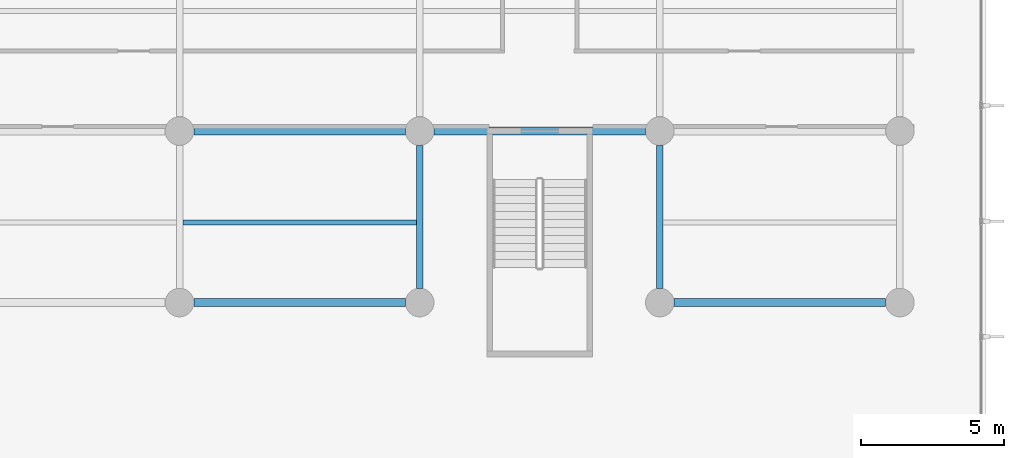
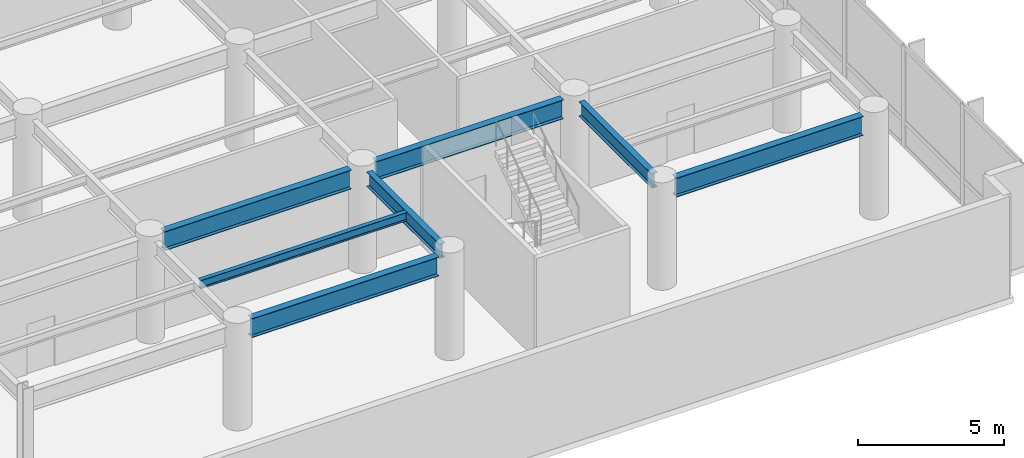
# One storey, part 6 of 26: 7 beams.
"""IFC4 building model written with IfcOpenShell, lengths in metres."""

import ifcopenshell
import ifcopenshell.guid

model = None  # the IFC model being written
_history = None  # IfcOwnerHistory: only IFC2X3 demands one
_inside = {}  # id of a spatial element -> (the spatial element, [elements in it])
_under = {}  # id of a project, library or spatial element -> (it, [spatial elements below it])
_declared = {}  # id of a project -> (the project, [libraries it declares])
_typed = {}  # id of a type object -> (the type object, [elements of that type])
_made_of = {}  # id of a material, layer set ... -> (it, [elements and type objects made of it])


def new_model(schema):
    """Start an empty IFC model of exactly this schema.

    Asked for "IFC4X3", IfcOpenShell would pick the latest addendum, in which some entities
    have other attributes; the version numbers below select the first issue.
    IFC2X3 requires an IfcOwnerHistory on every rooted entity: one is made here for all.
    """
    global model, _history
    if schema == "IFC4X3":
        model = ifcopenshell.file(schema_version=(4, 3, 0, 0))
    else:
        model = ifcopenshell.file(schema=schema)
    _inside.clear()
    _under.clear()
    _declared.clear()
    _typed.clear()
    _made_of.clear()
    _history = None
    if model.schema == "IFC2X3":
        org = make("IfcOrganization", Name="unknown")
        user = make(
            "IfcPersonAndOrganization",
            ThePerson=make("IfcPerson", FamilyName="unknown"),
            TheOrganization=org,
        )
        app = make(
            "IfcApplication",
            ApplicationDeveloper=org,
            Version="unknown",
            ApplicationFullName="unknown",
            ApplicationIdentifier="unknown",
        )
        _history = make(
            "IfcOwnerHistory",
            OwningUser=user,
            OwningApplication=app,
            ChangeAction="ADDED",
            CreationDate=0,
        )
    return model


def make(cls, **values):
    """One entity of the class cls with the attributes given. An attribute that is None is left unset."""
    return model.create_entity(
        cls, **{name: value for name, value in values.items() if value is not None}
    )


def rooted(cls, **values):
    """An entity with a GlobalId (a new one), such as an element, a storey or a relation."""
    return make(cls, GlobalId=ifcopenshell.guid.new(), OwnerHistory=_history, **values)


def si_unit(unit_type, name, prefix=None):
    """IfcSIUnit, for example si_unit("LENGTHUNIT", "METRE", prefix="MILLI")."""
    return make("IfcSIUnit", UnitType=unit_type, Prefix=prefix, Name=name)


def assignment(units):
    """IfcUnitAssignment: the units of a project."""
    return None if units is None else make("IfcUnitAssignment", Units=units)


def point(xyz):
    """IfcCartesianPoint."""
    return None if xyz is None else make("IfcCartesianPoint", Coordinates=xyz)


def direction(xyz):
    """IfcDirection."""
    return None if xyz is None else make("IfcDirection", DirectionRatios=xyz)


def frame(location, z_axis=None, x_axis=None):
    """IfcAxis2Placement3D, a coordinate frame: its origin and axes. An axis left out is left unset."""
    return make(
        "IfcAxis2Placement3D",
        Location=point(location),
        Axis=direction(z_axis),
        RefDirection=direction(x_axis),
    )


def frame_2d(location, x_axis=None):
    """IfcAxis2Placement2D, a coordinate frame in the plane: its origin and x axis."""
    return make(
        "IfcAxis2Placement2D", Location=point(location), RefDirection=direction(x_axis)
    )


def origin():
    """The frame at (0, 0, 0) with its axes left unset."""
    return frame((0.0, 0.0, 0.0))


def origin_2d():
    """The frame at (0, 0) in the plane with its x axis left unset."""
    return frame_2d((0.0, 0.0))


def place(relative_to, where):
    """IfcLocalPlacement: puts the frame where relative to a parent placement (None: the world)."""
    return make(
        "IfcLocalPlacement", PlacementRelTo=relative_to, RelativePlacement=where
    )


def context(
    kind, dimensions, precision=None, world=None, true_north=None, identifier=None
):
    """IfcGeometricRepresentationContext, for example the 3D "Model" context."""
    return make(
        "IfcGeometricRepresentationContext",
        ContextIdentifier=identifier,
        ContextType=kind,
        CoordinateSpaceDimension=dimensions,
        Precision=precision,
        WorldCoordinateSystem=world,
        TrueNorth=true_north,
    )


def subcontext(parent, identifier, kind, view, scale=None):
    """IfcGeometricRepresentationSubContext, for example "Body" below "Model"."""
    return make(
        "IfcGeometricRepresentationSubContext",
        ContextIdentifier=identifier,
        ContextType=kind,
        ParentContext=parent,
        TargetScale=scale,
        TargetView=view,
    )


def project(units=None, contexts=None):
    """IfcProject with its units and contexts."""
    return rooted(
        "IfcProject",
        Name="project",
        RepresentationContexts=contexts,
        UnitsInContext=assignment(units),
    )


def spatial(cls, under=None, at=None, **own):
    """A site, building, storey or space (cls), placed at a placement, below another one or the project."""
    s = rooted(cls, ObjectPlacement=at, **own)
    if under is not None:
        _under.setdefault(under.id(), (under, []))[1].append(s)
    return s


def profile(cls, at=None, kind="AREA", **sizes):
    """A parametric profile (cls). Its sizes go by their IFC names, for example OverallWidth=200.0."""
    return make(cls, ProfileType=kind, Position=at, **sizes)


def i_section(**sizes):
    """IfcIShapeProfileDef."""
    return profile("IfcIShapeProfileDef", **sizes)


def extrude(swept, where, along, depth):
    """IfcExtrudedAreaSolid: the profile swept, set in the frame where, extruded along a direction by depth."""
    return make(
        "IfcExtrudedAreaSolid",
        SweptArea=swept,
        Position=where,
        ExtrudedDirection=direction(along),
        Depth=depth,
    )


def shape(context_of_items, identifier, shape_type, items):
    """IfcShapeRepresentation: the items that make up one representation, for example the "Body"."""
    return make(
        "IfcShapeRepresentation",
        ContextOfItems=context_of_items,
        RepresentationIdentifier=identifier,
        RepresentationType=shape_type,
        Items=items,
    )


def material(Name=None, Category=None):
    """IfcMaterial."""
    return make("IfcMaterial", Name=Name, Category=Category)


def material_profile(
    of_material, cross_section, Name=None, Category=None, Priority=None
):
    """IfcMaterialProfile: a cross section and its material."""
    return make(
        "IfcMaterialProfile",
        Name=Name,
        Material=of_material,
        Profile=cross_section,
        Priority=Priority,
        Category=Category,
    )


def profile_set(profiles, Name=None, composite=None):
    """IfcMaterialProfileSet."""
    return make(
        "IfcMaterialProfileSet",
        Name=Name,
        MaterialProfiles=profiles,
        CompositeProfile=composite,
    )


def made_of(thing, what):
    """Note that an element or type object is made of a material, layer set ...; save() writes the relation."""
    if what is not None:
        _made_of.setdefault(what.id(), (what, []))[1].append(thing)
    return thing


def type_object(cls, material=None, **own):
    """A type object (cls), such as IfcWallType, which elements share."""
    return made_of(rooted(cls, **own), material)


def element(
    cls,
    number,
    at=None,
    inside=None,
    cuts=None,
    type_object=None,
    material=None,
    context=None,
    identifier="Body",
    shape_type=None,
    held_by="IfcProductDefinitionShape",
    body=None,
    shapes=None,
    **own,
):
    """One element of the class cls, such as IfcWall. Its Tag is "e" and its number.

    at: its placement. inside: the storey or other place that contains it. cuts: it is an
    opening in that element (IfcRelVoidsElement). A single representation is given by context,
    identifier, shape_type and body (its items); several are given by shapes. held_by: the class
    of the entity that holds the representations. save() writes the other relations.
    """
    e = rooted(cls, Tag="e%d" % number, ObjectPlacement=at, **own)
    if body is not None:
        shapes = [shape(context, identifier, shape_type, body)]
    if shapes is not None:
        e.Representation = make(held_by, Representations=shapes)
    if inside is not None:
        _inside.setdefault(inside.id(), (inside, []))[1].append(e)
    if cuts is not None:
        rooted(
            "IfcRelVoidsElement", RelatingBuildingElement=cuts, RelatedOpeningElement=e
        )
    if type_object is not None:
        _typed.setdefault(type_object.id(), (type_object, []))[1].append(e)
    return made_of(e, material)


def aggregate(whole, parts):
    """IfcRelAggregates: a whole, such as a stair, and the parts it consists of."""
    return rooted("IfcRelAggregates", RelatingObject=whole, RelatedObjects=parts)


def save(model, path):
    """Write the relations noted so far, then the file.

    IfcRelAggregates (storeys below a building ...), IfcRelContainedInSpatialStructure (elements
    in a storey), IfcRelDefinesByType, IfcRelAssociatesMaterial and IfcRelDeclares: one each for
    every whole, place, type object, material and project.
    """
    for whole, parts in _under.values():
        aggregate(whole, parts)
    for where, things in _inside.values():
        rooted(
            "IfcRelContainedInSpatialStructure",
            RelatedElements=things,
            RelatingStructure=where,
        )
    for kind, things in _typed.values():
        rooted("IfcRelDefinesByType", RelatedObjects=things, RelatingType=kind)
    for what, things in _made_of.values():
        rooted("IfcRelAssociatesMaterial", RelatedObjects=things, RelatingMaterial=what)
    for by, libraries in _declared.values():
        rooted("IfcRelDeclares", RelatingContext=by, RelatedDefinitions=libraries)
    model.write(path)


model = new_model("IFC4")

# Units and contexts
model_context = context("Model", 3, precision=1e-05, world=origin(), true_north=direction((0.0, 1.0)))
body_context = subcontext(model_context, "Body", "Model", "MODEL_VIEW")
ifc_project = project(units=[si_unit("LENGTHUNIT", "METRE"), si_unit("AREAUNIT", "SQUARE_METRE"), si_unit("VOLUMEUNIT", "CUBIC_METRE"), si_unit("PLANEANGLEUNIT", "RADIAN"), si_unit("MASSUNIT", "GRAM", prefix="KILO")], contexts=[model_context])

# Site, building, storey
site_placement = place(None, origin())
site = spatial("IfcSite", under=ifc_project, at=site_placement, CompositionType="ELEMENT")
building_placement = place(site_placement, origin())
building = spatial("IfcBuilding", under=site, at=building_placement, Name="Varnakote Quay Hospital", CompositionType="ELEMENT")
storey_placement = place(building_placement, frame((0.0, 0.0, 9.0)))
storey = spatial("IfcBuildingStorey", under=building, at=storey_placement, Name="L02", CompositionType="ELEMENT", Elevation=9.0)

# Beams
ifc_material_1 = material(Name="Structural steel AS/NZS 3679.1 Grade 350 L0 (fy 340 MPa)", Category="steel")
ifc_material_profile_1 = material_profile(ifc_material_1, i_section(OverallWidth=0.22802734375, OverallDepth=0.60205078125, WebThickness=0.010498046875, FlangeThickness=0.014892578125, FilletRadius=0.013916015625, at=origin_2d()), Name="610UB101")
ifc_profile_set_1 = profile_set([ifc_material_profile_1], Name="Structural steel AS/NZS 3679.1 Grade 350 L0 (fy 340 MPa)")
beam_type_1 = type_object("IfcBeamType", Name="BM-STL-610UB101", PredefinedType="BEAM", material=ifc_profile_set_1)
for number, where, z_axis, x_axis, name in (
    (1, (67.199951171875, 6.5, 3.948974609375), (0.0, 1.0, 0.0), (-1.0, 0.0, 0.0), "L02 Primary Tie Beam"),
    (2, (75.60009765625, 6.5, 3.948974609375), (0.0, 1.0, 0.0), (-1.0, 0.0, 0.0), "L02 Primary Tie Beam"),
):
    element("IfcBeam", number, at=place(storey_placement, frame(where, z_axis=z_axis, x_axis=x_axis)), inside=storey, type_object=beam_type_1, Name=name, PredefinedType="BEAM", context=body_context, shape_type="SweptSolid", body=[
        extrude(i_section(OverallWidth=0.22802734375, OverallDepth=0.60205078125, WebThickness=0.010498046875, FlangeThickness=0.014892578125, FilletRadius=0.013916015625, at=origin_2d()), origin(), (0.0, 0.0, 1.0), 5.0),
    ])
ifc_material_2 = material(Name="Structural steel AS/NZS 3678 Grade 350 (fy 340 MPa)", Category="steel")
ifc_material_profile_2 = material_profile(ifc_material_2, i_section(OverallWidth=0.27490234375, OverallDepth=0.800048828125, WebThickness=0.010009765625, FlangeThickness=0.02001953125, at=origin_2d()), Name="800WB146")
ifc_profile_set_2 = profile_set([ifc_material_profile_2], Name="Structural steel AS/NZS 3678 Grade 350 (fy 340 MPa)")
beam_type_2 = type_object("IfcBeamType", Name="BM-STL-800WB146", PredefinedType="BEAM", material=ifc_profile_set_2)
for number, where, z_axis, x_axis, name in (
    (3, (59.300048828125, 6.0, 3.85009765625), (1.0, 0.0, 0.0), (0.0, 1.0, 0.0), "L02 Primary Floor Beam"),
    (4, (76.10009765625, 6.0, 3.85009765625), (1.0, 0.0, 0.0), (0.0, 1.0, 0.0), "L02 Primary Floor Beam"),
    (5, (59.300048828125, 12.0, 3.85009765625), (1.0, 0.0, 0.0), (0.0, 1.0, 0.0), "L02 Primary Floor Beam"),
):
    element("IfcBeam", number, at=place(storey_placement, frame(where, z_axis=z_axis, x_axis=x_axis)), inside=storey, type_object=beam_type_2, Name=name, PredefinedType="BEAM", context=body_context, shape_type="SweptSolid", body=[
        extrude(i_section(OverallWidth=0.27490234375, OverallDepth=0.800048828125, WebThickness=0.010009765625, FlangeThickness=0.02001953125, at=origin_2d()), origin(), (0.0, 0.0, 1.0), 7.39990234375),
    ])
beam_1_placement = place(storey_placement, frame((67.699951171875, 12.0, 3.85009765625), z_axis=(1.0, 0.0, 0.0), x_axis=(0.0, 1.0, 0.0)))
element("IfcBeam", 6, at=beam_1_placement, inside=storey, type_object=beam_type_2, Name="L02 Primary Floor Beam", PredefinedType="BEAM", context=body_context, shape_type="SweptSolid", body=[
    extrude(i_section(OverallWidth=0.27490234375, OverallDepth=0.800048828125, WebThickness=0.010009765625, FlangeThickness=0.02001953125, at=origin_2d()), origin(), (0.0, 0.0, 1.0), 7.400146484375),
])
ifc_material_3 = material(Name="Structural steel AS/NZS 3679.1 Grade 350 L0 (fy 340 MPa)", Category="steel")
ifc_material_profile_3 = material_profile(ifc_material_3, i_section(OverallWidth=0.1708984375, OverallDepth=0.35595703125, WebThickness=0.00732421875, FlangeThickness=0.011474609375, FilletRadius=0.011474609375, at=origin_2d()), Name="360UB50.7")
ifc_profile_set_3 = profile_set([ifc_material_profile_3], Name="Structural steel AS/NZS 3679.1 Grade 350 L0 (fy 340 MPa)")
beam_type_3 = type_object("IfcBeamType", Name="JST-STL-360UB50-7", PredefinedType="JOIST", material=ifc_profile_set_3)
beam_2_placement = place(storey_placement, frame((58.9140625, 8.800048828125, 4.072021484375), z_axis=(1.0, 0.0, 0.0), x_axis=(0.0, 1.0, 0.0)))
element("IfcBeam", 7, at=beam_2_placement, inside=storey, type_object=beam_type_3, Name="L02 Composite Floor Joist", PredefinedType="JOIST", context=body_context, shape_type="SweptSolid", body=[
    extrude(i_section(OverallWidth=0.1708984375, OverallDepth=0.35595703125, WebThickness=0.00732421875, FlangeThickness=0.011474609375, FilletRadius=0.011474609375, at=origin_2d()), origin(), (0.0, 0.0, 1.0), 8.171875),
])

save(model, "model.ifc")
